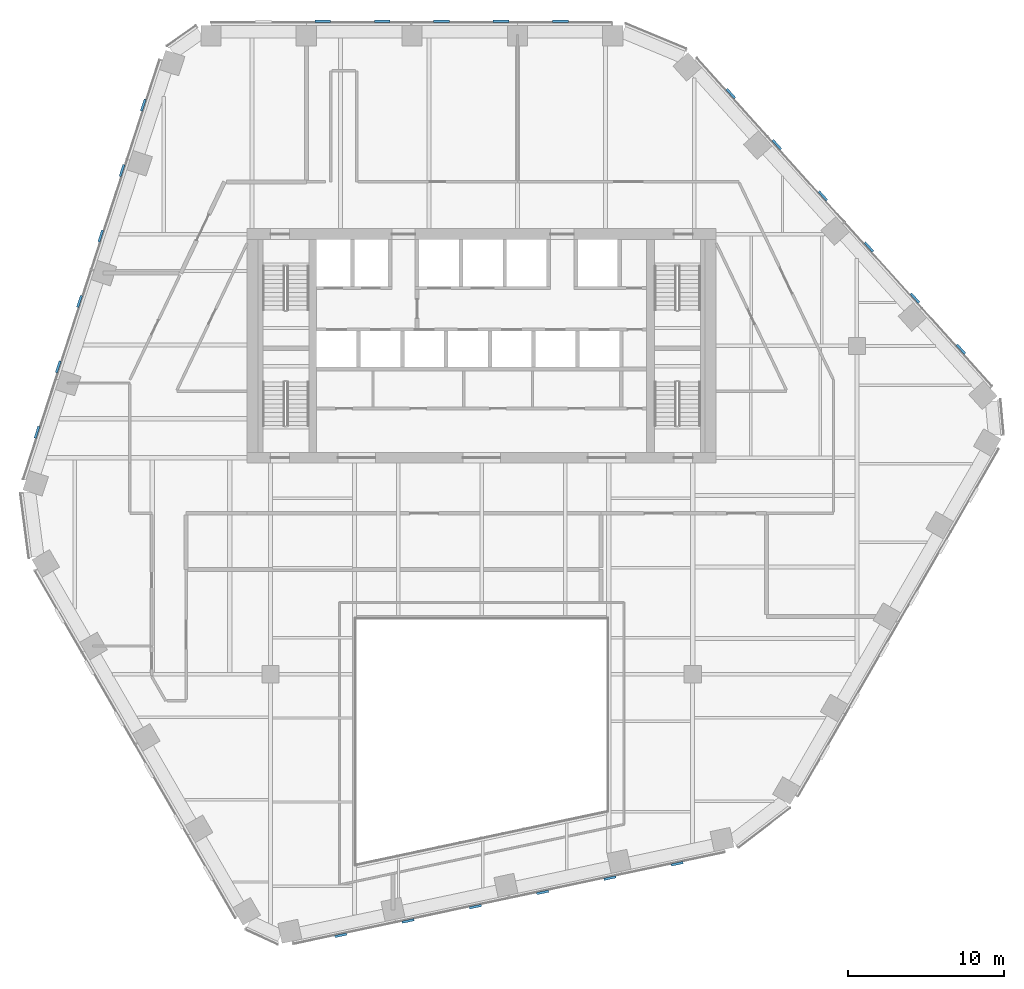
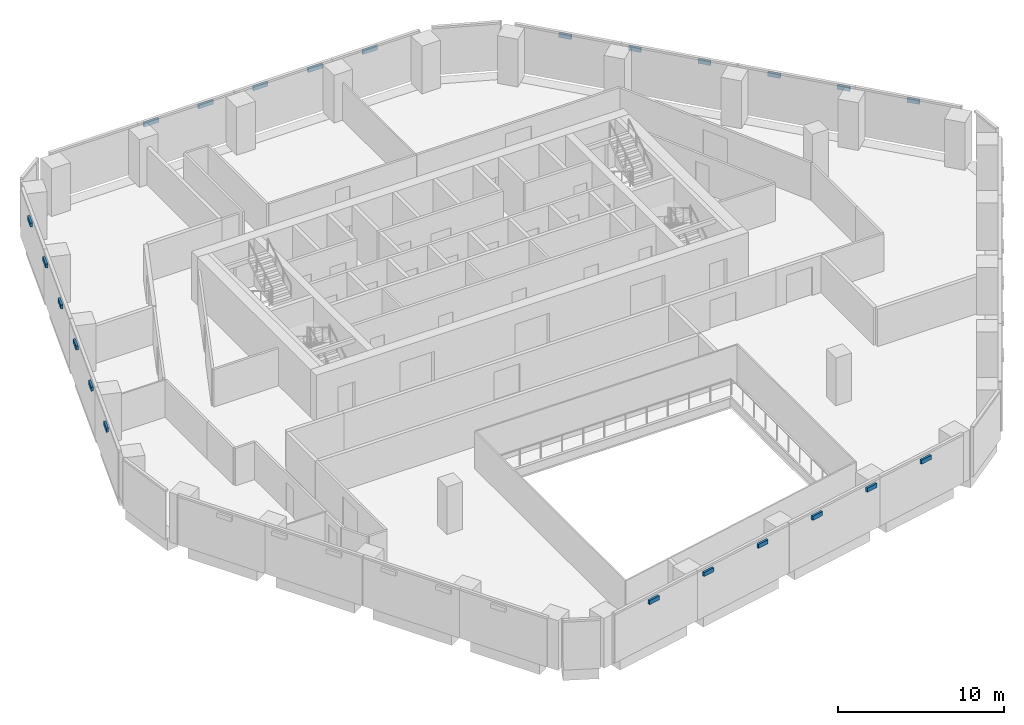
# One storey, part 14 of 17: 23 discrete accessories.
"""IFC4 building model written with IfcOpenShell, lengths in metres."""

from ifc_helpers import new_model, si_unit, direction, frame, origin, origin_2d, place, context, subcontext, project, spatial, rectangle, extrude, material, type_object, element, save


model = new_model("IFC4")

# Units and contexts
model_context = context("Model", 3, precision=1e-05, world=origin(), true_north=direction((0.0, 1.0)))
body_context = subcontext(model_context, "Body", "Model", "MODEL_VIEW")
ifc_project = project(units=[si_unit("LENGTHUNIT", "METRE"), si_unit("AREAUNIT", "SQUARE_METRE"), si_unit("VOLUMEUNIT", "CUBIC_METRE"), si_unit("PLANEANGLEUNIT", "RADIAN"), si_unit("MASSUNIT", "GRAM", prefix="KILO")], contexts=[model_context])

# Site, building, storey
site_placement = place(None, origin())
site = spatial("IfcSite", under=ifc_project, at=site_placement, CompositionType="ELEMENT")
building_placement = place(site_placement, origin())
building = spatial("IfcBuilding", under=site, at=building_placement, Name="Isthmus Gate Tower", CompositionType="ELEMENT")
storey_placement = place(building_placement, frame((0.0, 0.0, 200.0)))
storey = spatial("IfcBuildingStorey", under=building, at=storey_placement, Name="L50", CompositionType="ELEMENT", Elevation=200.0)

# Discrete accessories
ifc_material_1 = material(Name="Structural steel ASTM A572 Gr 50, white paint system", Category="steel")
discrete_accessory_type_1 = type_object("IfcDiscreteAccessoryType", Name="FIN BRACKET 1016 X 150 X 300", PredefinedType="BRACKET", material=ifc_material_1)
for number, where, z_axis, x_axis, name in (
    (1, (5.038330078125, 28.27490234375, 3.10009765625), (0.0, 0.0, 1.0), (0.0, 1.0, 0.0), "FIN BRACKET"),
    (2, (1.23828125, 28.27490234375, 3.10009765625), (0.0, 0.0, 1.0), (0.0, 1.0, 0.0), "FIN BRACKET"),
    (3, (-2.561767578125, 28.27490234375, 3.10009765625), (0.0, 0.0, 1.0), (0.0, 1.0, 0.0), "FIN BRACKET"),
    (4, (-6.36181640625, 28.27490234375, 3.10009765625), (0.0, 0.0, 1.0), (0.0, 1.0, 0.0), "FIN BRACKET"),
    (5, (-10.16162109375, 28.27490234375, 3.10009765625), (0.0, 0.0, 1.0), (0.0, 1.0, 0.0), "FIN BRACKET"),
):
    element("IfcDiscreteAccessory", number, at=place(storey_placement, frame(where, z_axis=z_axis, x_axis=x_axis)), inside=storey, type_object=discrete_accessory_type_1, Name=name, PredefinedType="BRACKET", context=body_context, shape_type="SweptSolid", body=[
        extrude(rectangle(XDim=0.14990234375, YDim=1.01611328125, at=origin_2d()), origin(), (0.0, 0.0, 1.0), 0.300048828125),
    ])
ifc_material_2 = material(Name="Structural steel ASTM A572 Gr 50, white paint system", Category="steel")
discrete_accessory_type_2 = type_object("IfcDiscreteAccessoryType", Name="FIN BRACKET 784 X 150 X 300", PredefinedType="BRACKET", material=ifc_material_2)
for number, where, z_axis, x_axis, name in (
    (6, (-21.64501953125, 22.9033203125, 3.10009765625), (0.0, 0.0, 1.0), (-0.951056516295, 0.309016994375, 0.0), "FIN BRACKET"),
    (7, (-23.004638671875, 18.71875, 3.10009765625), (0.0, 0.0, 1.0), (-0.951056516295, 0.309016994375, 0.0), "FIN BRACKET"),
    (8, (-24.3642578125, 14.5341796875, 3.10009765625), (0.0, 0.0, 1.0), (-0.951056516295, 0.309016994375, 0.0), "FIN BRACKET"),
    (9, (-25.723876953125, 10.349365234375, 3.10009765625), (0.0, 0.0, 1.0), (-0.951056516295, 0.309016994375, 0.0), "FIN BRACKET"),
    (10, (-27.083740234375, 6.164794921875, 3.10009765625), (0.0, 0.0, 1.0), (-0.951056516295, 0.309016994375, 0.0), "FIN BRACKET"),
    (11, (-28.443359375, 1.980224609375, 3.10009765625), (0.0, 0.0, 1.0), (-0.951056516295, 0.309016994375, 0.0), "FIN BRACKET"),
    (12, (-9.012451171875, -30.19677734375, 3.10009765625), (0.0, 0.0, 1.0), (0.207911690818, -0.978147600734, 0.0), "FIN BRACKET"),
    (13, (-4.70849609375, -29.281982421875, 3.10009765625), (0.0, 0.0, 1.0), (0.207911690818, -0.978147600734, 0.0), "FIN BRACKET"),
    (14, (-0.40478515625, -28.3671875, 3.10009765625), (0.0, 0.0, 1.0), (0.207911690818, -0.978147600734, 0.0), "FIN BRACKET"),
    (15, (3.899169921875, -27.452392578125, 3.10009765625), (0.0, 0.0, 1.0), (0.207911690818, -0.978147600734, 0.0), "FIN BRACKET"),
    (16, (8.202880859375, -26.53759765625, 3.10009765625), (0.0, 0.0, 1.0), (0.207911690818, -0.978147600734, 0.0), "FIN BRACKET"),
    (17, (12.5068359375, -25.622802734375, 3.10009765625), (0.0, 0.0, 1.0), (0.207911690818, -0.978147600734, 0.0), "FIN BRACKET"),
    (18, (30.657470703125, 7.29345703125, 3.10009765625), (0.0, 0.0, 1.0), (0.743144825477, 0.669130606359, 0.0), "FIN BRACKET"),
    (19, (27.713134765625, 10.563232421875, 3.10009765625), (0.0, 0.0, 1.0), (0.743144825477, 0.669130606359, 0.0), "FIN BRACKET"),
    (20, (24.76904296875, 13.8330078125, 3.10009765625), (0.0, 0.0, 1.0), (0.743144825477, 0.669130606359, 0.0), "FIN BRACKET"),
    (21, (21.824951171875, 17.102783203125, 3.10009765625), (0.0, 0.0, 1.0), (0.743144825477, 0.669130606359, 0.0), "FIN BRACKET"),
    (22, (18.880615234375, 20.372802734375, 3.10009765625), (0.0, 0.0, 1.0), (0.743144825477, 0.669130606359, 0.0), "FIN BRACKET"),
    (23, (15.9365234375, 23.642578125, 3.10009765625), (0.0, 0.0, 1.0), (0.743144825477, 0.669130606359, 0.0), "FIN BRACKET"),
):
    element("IfcDiscreteAccessory", number, at=place(storey_placement, frame(where, z_axis=z_axis, x_axis=x_axis)), inside=storey, type_object=discrete_accessory_type_2, Name=name, PredefinedType="BRACKET", context=body_context, shape_type="SweptSolid", body=[
        extrude(rectangle(XDim=0.14990234375, YDim=0.78369140625, at=origin_2d()), origin(), (0.0, 0.0, 1.0), 0.300048828125),
    ])

save(model, "model.ifc")
